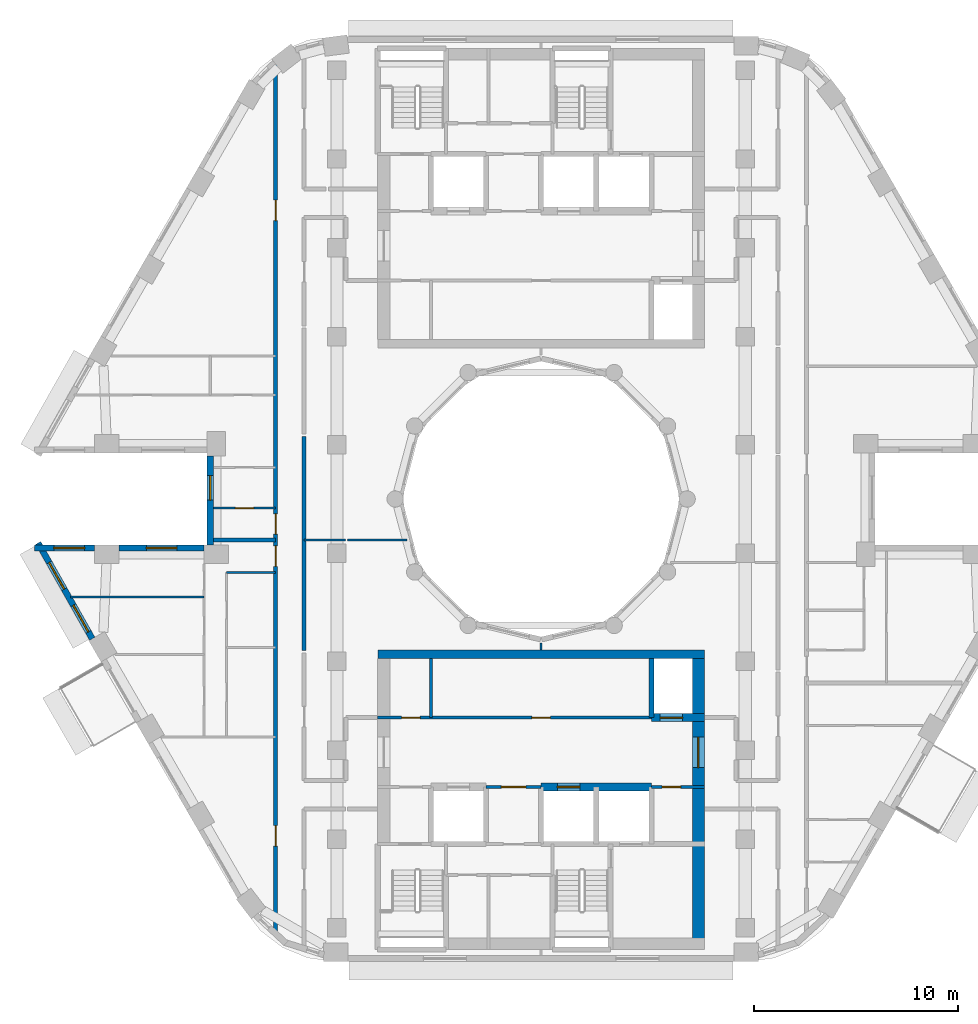
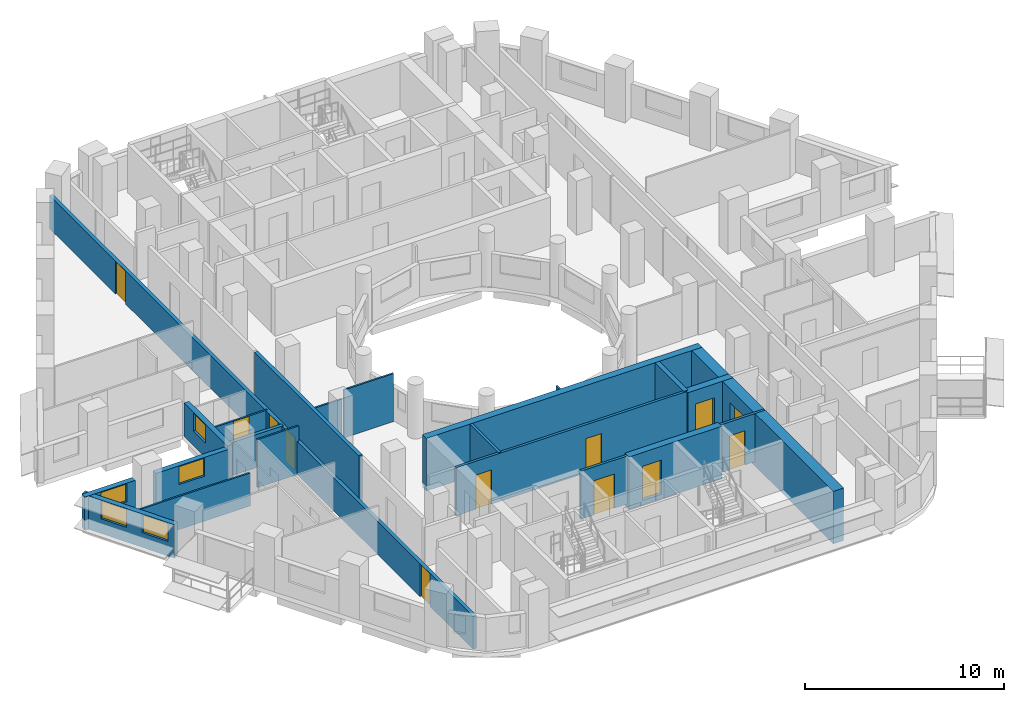
# One storey, part 4 of 15: 22 walls, 12 doors, 5 windows, 17 openings.
"""IFC4 building model written with IfcOpenShell, lengths in metres."""

from ifc_helpers import new_model, si_unit, direction, frame, frame_2d, origin, place, context, subcontext, project, spatial, rectangle, extrude, material, layer, layer_set, type_object, element, fill, save


model = new_model("IFC4")

# Units and contexts
model_context = context("Model", 3, precision=1e-05, world=origin(), true_north=direction((0.0, 1.0)))
body_context = subcontext(model_context, "Body", "Model", "MODEL_VIEW")
ifc_project = project(units=[si_unit("LENGTHUNIT", "METRE"), si_unit("AREAUNIT", "SQUARE_METRE"), si_unit("VOLUMEUNIT", "CUBIC_METRE"), si_unit("PLANEANGLEUNIT", "RADIAN"), si_unit("MASSUNIT", "GRAM", prefix="KILO")], contexts=[model_context])

# Site, building, storey
site_placement = place(None, origin())
site = spatial("IfcSite", under=ifc_project, at=site_placement, CompositionType="ELEMENT")
building_placement = place(site_placement, origin())
building = spatial("IfcBuilding", under=site, at=building_placement, Name="Nakaniwa Court", CompositionType="ELEMENT")
storey_placement = place(building_placement, frame((0.0, 0.0, 216.300048828125)))
storey = spatial("IfcBuildingStorey", under=building, at=storey_placement, Name="L57", CompositionType="ELEMENT", Elevation=216.300048828125)

# Wall
ifc_material_1 = material(Name="Acoustic double stud partition")
ifc_layer_1 = layer(ifc_material_1, 0.199951171875)
ifc_layer_set_1 = layer_set([ifc_layer_1], Name="Acoustic double stud partition")
wall_type_1 = type_object("IfcWallType", Name="Acoustic double stud partition 200", PredefinedType="PARTITIONING", material=ifc_layer_set_1)
wall_1_placement = place(storey_placement, frame((68.39990234375, 72.5771484375, 0.0), z_axis=(0.0, 0.0, 1.0), x_axis=(0.0, 1.0, 0.0)))
element("IfcWall", 1, at=wall_1_placement, inside=storey, type_object=wall_type_1, Name="Partition PW-094", PredefinedType="PARTITIONING", context=body_context, shape_type="SweptSolid", body=[
    extrude(rectangle(XDim=10.485595703125, YDim=0.199951171875, at=frame_2d((5.24267578125, 0.0))), origin(), (0.0, 0.0, 1.0), 2.949951171875),
])

# Wall, openings, doors
wall_2_placement = place(storey_placement, frame((67.0, 58.67431640625, 0.0), z_axis=(0.0, 0.0, 1.0), x_axis=(0.0, 1.0, 0.0)))
wall_2 = element("IfcWall", 2, at=wall_2_placement, inside=storey, type_object=wall_type_1, Name="Partition PW-102", PredefinedType="PARTITIONING", context=body_context, shape_type="SweptSolid", body=[
    extrude(rectangle(XDim=42.591796875, YDim=0.199951171875, at=frame_2d((21.2958984375, 0.0))), origin(), (0.0, 0.0, 1.0), 2.030029296875),
])
opening_1_placement = place(wall_2_placement, frame((18.02587890625, 0.0, 0.0)))
opening_1 = element("IfcOpeningElement", 3, at=opening_1_placement, cuts=wall_2, Name="Opening D-34-03", PredefinedType="OPENING", context=body_context, shape_type="SweptSolid", body=[
    extrude(rectangle(XDim=1.0, YDim=2.010009765625, at=frame_2d((0.5, 1.0048828125))), frame((0.0, 0.10986328125, 0.0), z_axis=(0.0, -1.0, 0.0), x_axis=(1.0, 0.0, 0.0)), (0.0, 0.0, 1.0), 0.219970703125),
])
opening_2_placement = place(wall_2_placement, frame((19.60107421875, 0.0, 0.0)))
opening_2 = element("IfcOpeningElement", 4, at=opening_2_placement, cuts=wall_2, Name="Opening D-34-04", PredefinedType="OPENING", context=body_context, shape_type="SweptSolid", body=[
    extrude(rectangle(XDim=1.0, YDim=2.010009765625, at=frame_2d((0.5, 1.0048828125))), frame((0.0, 0.10986328125, 0.0), z_axis=(0.0, -1.0, 0.0), x_axis=(1.0, 0.0, 0.0)), (0.0, 0.0, 1.0), 0.219970703125),
])
opening_3_placement = place(wall_2_placement, frame((4.33203125, 0.0, 0.0)))
opening_3 = element("IfcOpeningElement", 5, at=opening_3_placement, cuts=wall_2, Name="Opening D-36-06", PredefinedType="OPENING", context=body_context, shape_type="SweptSolid", body=[
    extrude(rectangle(XDim=1.0, YDim=2.010009765625, at=frame_2d((0.5, 1.0048828125))), frame((0.0, 0.10986328125, 0.0), z_axis=(0.0, -1.0, 0.0), x_axis=(1.0, 0.0, 0.0)), (0.0, 0.0, 1.0), 0.219970703125),
])
opening_4_placement = place(wall_2_placement, frame((34.95703125, 0.0, 0.0)))
opening_4 = element("IfcOpeningElement", 6, at=opening_4_placement, cuts=wall_2, Name="Opening D-36-07", PredefinedType="OPENING", context=body_context, shape_type="SweptSolid", body=[
    extrude(rectangle(XDim=1.0, YDim=2.010009765625, at=frame_2d((0.5, 1.0048828125))), frame((0.0, 0.10986328125, 0.0), z_axis=(0.0, -1.0, 0.0), x_axis=(1.0, 0.0, 0.0)), (0.0, 0.0, 1.0), 0.219970703125),
])
ifc_material_2 = material(Name="Solid core timber door set, black veneer", Category="wood")
door_type_1 = type_object("IfcDoorType", Name="Flat entrance door 1000 x 2010", OperationType="NOTDEFINED", PredefinedType="DOOR", material=ifc_material_2)
door_1_placement = place(opening_1_placement, origin())
door_1 = element("IfcDoor", 7, at=door_1_placement, inside=storey, type_object=door_type_1, Name="Door D-34-03 L57-035", OperationType="SINGLE_SWING_RIGHT", OverallHeight=2.010009765625, OverallWidth=1.0, PredefinedType="DOOR", context=body_context, shape_type="SweptSolid", body=[
    extrude(rectangle(XDim=1.0, YDim=2.010009765625, at=frame_2d((0.5, 1.0048828125))), frame((0.0, 0.02490234375, 0.0), z_axis=(0.0, -1.0, 0.0), x_axis=(1.0, 0.0, 0.0)), (0.0, 0.0, 1.0), 0.050048828125),
])
fill(opening_1, door_1)
door_2_placement = place(opening_2_placement, origin())
door_2 = element("IfcDoor", 8, at=door_2_placement, inside=storey, type_object=door_type_1, Name="Door D-34-04 L57-041", OperationType="SINGLE_SWING_RIGHT", OverallHeight=2.010009765625, OverallWidth=1.0, PredefinedType="DOOR", context=body_context, shape_type="SweptSolid", body=[
    extrude(rectangle(XDim=1.0, YDim=2.010009765625, at=frame_2d((0.5, 1.0048828125))), frame((0.0, 0.02490234375, 0.0), z_axis=(0.0, -1.0, 0.0), x_axis=(1.0, 0.0, 0.0)), (0.0, 0.0, 1.0), 0.050048828125),
])
fill(opening_2, door_2)
door_type_2 = type_object("IfcDoorType", Name="Internal door 1000 x 2010", OperationType="NOTDEFINED", PredefinedType="DOOR", material=ifc_material_2)
door_3_placement = place(opening_3_placement, origin())
door_3 = element("IfcDoor", 9, at=door_3_placement, inside=storey, type_object=door_type_2, Name="Door D-36-06 L57-049", OperationType="SINGLE_SWING_RIGHT", OverallHeight=2.010009765625, OverallWidth=1.0, PredefinedType="DOOR", context=body_context, shape_type="SweptSolid", body=[
    extrude(rectangle(XDim=1.0, YDim=2.010009765625, at=frame_2d((0.5, 1.0048828125))), frame((0.0, 0.02490234375, 0.0), z_axis=(0.0, -1.0, 0.0), x_axis=(1.0, 0.0, 0.0)), (0.0, 0.0, 1.0), 0.050048828125),
])
fill(opening_3, door_3)
door_4_placement = place(opening_4_placement, origin())
door_4 = element("IfcDoor", 10, at=door_4_placement, inside=storey, type_object=door_type_2, Name="Door D-36-07 L57-050", OperationType="SINGLE_SWING_LEFT", OverallHeight=2.010009765625, OverallWidth=1.0, PredefinedType="DOOR", context=body_context, shape_type="SweptSolid", body=[
    extrude(rectangle(XDim=1.0, YDim=2.010009765625, at=frame_2d((0.5, 1.0048828125))), frame((0.0, 0.02490234375, 0.0), z_axis=(0.0, -1.0, 0.0), x_axis=(1.0, 0.0, 0.0)), (0.0, 0.0, 1.0), 0.050048828125),
])
fill(opening_4, door_4)

# Wall
wall_3_placement = place(storey_placement, frame((63.950439453125, 78.0, 0.0), z_axis=(0.0, 0.0, 1.0), x_axis=(1.0, 0.0, 0.0)))
element("IfcWall", 11, at=wall_3_placement, inside=storey, type_object=wall_type_1, Name="Partition PW-126", PredefinedType="PARTITIONING", context=body_context, shape_type="SweptSolid", body=[
    extrude(rectangle(XDim=3.048583984375, YDim=0.199951171875, at=frame_2d((1.5244140625, 0.0))), origin(), (0.0, 0.0, 1.0), 2.030029296875),
])

# Wall, opening, window
ifc_material_3 = material(Name="Charcoal ceramic cladding")
ifc_layer_2 = layer(ifc_material_3, 0.02, Name="Ceramic cladding")
ifc_material_4 = material(Name="Ventilated air cavity")
ifc_layer_3 = layer(ifc_material_4, 0.04, ventilated=True, Name="Ventilated cavity")
ifc_material_5 = material(Name="Mineral wool insulation")
ifc_layer_4 = layer(ifc_material_5, 0.1, Name="Insulation")
ifc_material_6 = material(Name="Cement bonded sheathing board")
ifc_layer_5 = layer(ifc_material_6, 0.012, Name="Sheathing")
ifc_material_7 = material(Name="Cold-formed galvanised stud frame with mineral wool infill")
ifc_layer_6 = layer(ifc_material_7, 0.1, Name="Stud frame")
ifc_material_8 = material(Name="Fire-rated gypsum plasterboard lining")
ifc_layer_7 = layer(ifc_material_8, 0.028, Name="Lining")
ifc_layer_set_2 = layer_set([ifc_layer_2, ifc_layer_3, ifc_layer_4, ifc_layer_5, ifc_layer_6, ifc_layer_7], Name="Charcoal ceramic faced external wall system")
wall_type_2 = type_object("IfcWallType", Name="Black ceramic faced external wall 300", PredefinedType="SOLIDWALL", material=ifc_layer_set_2)
wall_4_placement = place(storey_placement, frame((63.800537109375, 82.10400390625, 0.0), z_axis=(0.0, 0.0, 1.0), x_axis=(0.0, -1.0, 0.0)))
wall_4 = element("IfcWall", 12, at=wall_4_placement, inside=storey, type_object=wall_type_2, Name="L57 external wall 17", PredefinedType="SOLIDWALL", context=body_context, shape_type="SweptSolid", body=[
    extrude(rectangle(XDim=4.35791015625, YDim=0.300048828125, at=frame_2d((2.178955078125, 0.0))), origin(), (0.0, 0.0, 1.0), 2.050048828125),
])
opening_5_placement = place(wall_4_placement, frame((0.9541015625, 0.0, 0.89990234375)))
opening_5 = element("IfcOpeningElement", 13, at=opening_5_placement, cuts=wall_4, Name="Opening W6.20", PredefinedType="OPENING", context=body_context, shape_type="SweptSolid", body=[
    extrude(rectangle(XDim=1.199951171875, YDim=1.10009765625, at=frame_2d((0.60009765625, 0.550048828125))), frame((0.0, 0.159912109375, 0.0), z_axis=(0.0, -1.0, 0.0), x_axis=(1.0, 0.0, 0.0)), (0.0, 0.0, 1.0), 0.320068359375),
])
ifc_material_9 = material(Name="Black anodised aluminium frame with dark low-E laminated double glazing", Category="aluminium")
window_type_1 = type_object("IfcWindowType", Name="Dark glass window 1200x1100 sill 900", PartitioningType="SINGLE_PANEL", PredefinedType="WINDOW", material=ifc_material_9)
window_1_placement = place(opening_5_placement, origin())
window_1 = element("IfcWindow", 14, at=window_1_placement, inside=storey, type_object=window_type_1, Name="L57 habitable room window 17-1", OverallHeight=1.10009765625, OverallWidth=1.199951171875, PartitioningType="SINGLE_PANEL", PredefinedType="WINDOW", context=body_context, shape_type="SweptSolid", body=[
    extrude(rectangle(XDim=1.199951171875, YDim=1.10009765625, at=frame_2d((0.60009765625, 0.550048828125))), frame((0.0, 0.030029296875, 0.0), z_axis=(0.0, -1.0, 0.0), x_axis=(1.0, 0.0, 0.0)), (0.0, 0.0, 1.0), 0.06005859375),
])
fill(opening_5, window_1)

wall_5_placement = place(storey_placement, frame((63.50439453125, 77.60009765625, 0.0), z_axis=(0.0, 0.0, 1.0), x_axis=(-1.0, 0.0, 0.0)))
wall_5 = element("IfcWall", 15, at=wall_5_placement, inside=storey, type_object=wall_type_2, Name="L57 external wall 18", PredefinedType="SOLIDWALL", context=body_context, shape_type="SweptSolid", body=[
    extrude(rectangle(XDim=4.17236328125, YDim=0.300048828125, at=frame_2d((2.086181640625, 0.0))), origin(), (0.0, 0.0, 1.0), 2.050048828125),
])
opening_6_placement = place(wall_5_placement, frame((1.336181640625, 0.0, 0.89990234375)))
opening_6 = element("IfcOpeningElement", 16, at=opening_6_placement, cuts=wall_5, Name="Opening W5.21", PredefinedType="OPENING", context=body_context, shape_type="SweptSolid", body=[
    extrude(rectangle(XDim=1.5, YDim=1.10009765625, at=frame_2d((0.75, 0.550048828125))), frame((0.0, 0.159912109375, 0.0), z_axis=(0.0, -1.0, 0.0), x_axis=(1.0, 0.0, 0.0)), (0.0, 0.0, 1.0), 0.320068359375),
])
window_type_2 = type_object("IfcWindowType", Name="Dark glass window 1500x1100 sill 900", PartitioningType="SINGLE_PANEL", PredefinedType="WINDOW", material=ifc_material_9)
window_2_placement = place(opening_6_placement, origin())
window_2 = element("IfcWindow", 17, at=window_2_placement, inside=storey, type_object=window_type_2, Name="L57 bedroom window 18-0", OverallHeight=1.10009765625, OverallWidth=1.5, PartitioningType="SINGLE_PANEL", PredefinedType="WINDOW", context=body_context, shape_type="SweptSolid", body=[
    extrude(rectangle(XDim=1.5, YDim=1.10009765625, at=frame_2d((0.75, 0.550048828125))), frame((0.0, 0.030029296875, 0.0), z_axis=(0.0, -1.0, 0.0), x_axis=(1.0, 0.0, 0.0)), (0.0, 0.0, 1.0), 0.06005859375),
])
fill(opening_6, window_2)

wall_6_placement = place(storey_placement, frame((58.139892578125, 77.60009765625, 0.0), z_axis=(0.0, 0.0, 1.0), x_axis=(-1.0, 0.0, 0.0)))
wall_6 = element("IfcWall", 18, at=wall_6_placement, inside=storey, type_object=wall_type_2, Name="L57 external wall 19", PredefinedType="SOLIDWALL", context=body_context, shape_type="SweptSolid", body=[
    extrude(rectangle(XDim=2.937744140625, YDim=0.300048828125, at=frame_2d((1.46875, 0.0))), origin(), (0.0, 0.0, 1.0), 2.050048828125),
])
opening_7_placement = place(wall_6_placement, frame((0.493896484375, 0.0, 0.89990234375)))
opening_7 = element("IfcOpeningElement", 19, at=opening_7_placement, cuts=wall_6, Name="Opening W5.22", PredefinedType="OPENING", context=body_context, shape_type="SweptSolid", body=[
    extrude(rectangle(XDim=1.5, YDim=1.10009765625, at=frame_2d((0.75, 0.550048828125))), frame((0.0, 0.159912109375, 0.0), z_axis=(0.0, -1.0, 0.0), x_axis=(1.0, 0.0, 0.0)), (0.0, 0.0, 1.0), 0.320068359375),
])
window_3_placement = place(opening_7_placement, origin())
window_3 = element("IfcWindow", 20, at=window_3_placement, inside=storey, type_object=window_type_2, Name="L57 bedroom window 19-0", OverallHeight=1.10009765625, OverallWidth=1.5, PartitioningType="SINGLE_PANEL", PredefinedType="WINDOW", context=body_context, shape_type="SweptSolid", body=[
    extrude(rectangle(XDim=1.5, YDim=1.10009765625, at=frame_2d((0.75, 0.550048828125))), frame((0.0, 0.030029296875, 0.0), z_axis=(0.0, -1.0, 0.0), x_axis=(1.0, 0.0, 0.0)), (0.0, 0.0, 1.0), 0.06005859375),
])
fill(opening_7, window_3)

# Wall, openings, windows
wall_7_placement = place(storey_placement, frame((55.372802734375, 77.846435546875, 0.0), z_axis=(0.0, 0.0, 1.0), x_axis=(0.492033360928, -0.870576344575, 0.0)))
wall_7 = element("IfcWall", 21, at=wall_7_placement, inside=storey, type_object=wall_type_2, Name="L57 external wall 20", PredefinedType="SOLIDWALL", context=body_context, shape_type="SweptSolid", body=[
    extrude(rectangle(XDim=5.38671875, YDim=0.300048828125, at=frame_2d((2.693359375, 0.0))), origin(), (0.0, 0.0, 1.0), 2.050048828125),
])
opening_8_placement = place(wall_7_placement, frame((1.0966796875, 0.0, 0.89990234375)))
opening_8 = element("IfcOpeningElement", 22, at=opening_8_placement, cuts=wall_7, Name="Opening W5.23", PredefinedType="OPENING", context=body_context, shape_type="SweptSolid", body=[
    extrude(rectangle(XDim=1.5, YDim=1.10009765625, at=frame_2d((0.75, 0.550048828125))), frame((0.0, 0.159912109375, 0.0), z_axis=(0.0, -1.0, 0.0), x_axis=(1.0, 0.0, 0.0)), (0.0, 0.0, 1.0), 0.320068359375),
])
opening_9_placement = place(wall_7_placement, frame((3.50146484375, 0.0, 0.89990234375)))
opening_9 = element("IfcOpeningElement", 23, at=opening_9_placement, cuts=wall_7, Name="Opening W5.24", PredefinedType="OPENING", context=body_context, shape_type="SweptSolid", body=[
    extrude(rectangle(XDim=1.5, YDim=1.10009765625, at=frame_2d((0.75, 0.550048828125))), frame((0.0, 0.159912109375, 0.0), z_axis=(0.0, -1.0, 0.0), x_axis=(1.0, 0.0, 0.0)), (0.0, 0.0, 1.0), 0.320068359375),
])
window_4_placement = place(opening_8_placement, origin())
window_4 = element("IfcWindow", 24, at=window_4_placement, inside=storey, type_object=window_type_2, Name="L57 bedroom window 20-0", OverallHeight=1.10009765625, OverallWidth=1.5, PartitioningType="SINGLE_PANEL", PredefinedType="WINDOW", context=body_context, shape_type="SweptSolid", body=[
    extrude(rectangle(XDim=1.5, YDim=1.10009765625, at=frame_2d((0.75, 0.550048828125))), frame((0.0, 0.030029296875, 0.0), z_axis=(0.0, -1.0, 0.0), x_axis=(1.0, 0.0, 0.0)), (0.0, 0.0, 1.0), 0.06005859375),
])
fill(opening_8, window_4)
window_5_placement = place(opening_9_placement, origin())
window_5 = element("IfcWindow", 25, at=window_5_placement, inside=storey, type_object=window_type_2, Name="L57 bedroom window 20-1", OverallHeight=1.10009765625, OverallWidth=1.5, PartitioningType="SINGLE_PANEL", PredefinedType="WINDOW", context=body_context, shape_type="SweptSolid", body=[
    extrude(rectangle(XDim=1.5, YDim=1.10009765625, at=frame_2d((0.75, 0.550048828125))), frame((0.0, 0.030029296875, 0.0), z_axis=(0.0, -1.0, 0.0), x_axis=(1.0, 0.0, 0.0)), (0.0, 0.0, 1.0), 0.06005859375),
])
fill(opening_9, window_5)

# Wall
ifc_material_10 = material(Name="Blockwork partition", Category="masonry")
ifc_layer_8 = layer(ifc_material_10, 0.14990234375)
ifc_layer_set_3 = layer_set([ifc_layer_8], Name="Blockwork partition")
wall_type_3 = type_object("IfcWallType", Name="Blockwork partition 150", PredefinedType="PARTITIONING", material=ifc_layer_set_3)
wall_8_placement = place(storey_placement, frame((74.60009765625, 69.300048828125, 0.0), z_axis=(0.0, 0.0, 1.0), x_axis=(0.0, 1.0, 0.0)))
element("IfcWall", 26, at=wall_8_placement, inside=storey, type_object=wall_type_3, Name="Partition PW-033", PredefinedType="PARTITIONING", context=body_context, shape_type="SweptSolid", body=[
    extrude(rectangle(XDim=2.89990234375, YDim=0.14990234375, at=frame_2d((1.449951171875, 0.0))), origin(), (0.0, 0.0, 1.0), 2.949951171875),
])

# Wall, openings, doors
wall_9_placement = place(storey_placement, frame((72.0, 69.300048828125, 0.0), z_axis=(0.0, 0.0, 1.0), x_axis=(1.0, 0.0, 0.0)))
wall_9 = element("IfcWall", 27, at=wall_9_placement, inside=storey, type_object=wall_type_3, Name="Partition PW-034", PredefinedType="PARTITIONING", context=body_context, shape_type="SweptSolid", body=[
    extrude(rectangle(XDim=13.39990234375, YDim=0.14990234375, at=frame_2d((6.699951171875, 0.0))), origin(), (0.0, 0.0, 1.0), 2.949951171875),
])
opening_10_placement = place(wall_9_placement, frame((1.175048828125, 0.0, 0.0)))
opening_10 = element("IfcOpeningElement", 28, at=opening_10_placement, cuts=wall_9, Name="Opening D-05-06", PredefinedType="OPENING", context=body_context, shape_type="SweptSolid", body=[
    extrude(rectangle(XDim=0.89990234375, YDim=2.10009765625, at=frame_2d((0.449951171875, 1.050048828125))), frame((0.0, 0.0849609375, 0.0), z_axis=(0.0, -1.0, 0.0), x_axis=(1.0, 0.0, 0.0)), (0.0, 0.0, 1.0), 0.169921875),
])
opening_11_placement = place(wall_9_placement, frame((7.550048828125, 0.0, 0.0)))
opening_11 = element("IfcOpeningElement", 29, at=opening_11_placement, cuts=wall_9, Name="Opening D-05-07", PredefinedType="OPENING", context=body_context, shape_type="SweptSolid", body=[
    extrude(rectangle(XDim=0.89990234375, YDim=2.10009765625, at=frame_2d((0.449951171875, 1.050048828125))), frame((0.0, 0.0849609375, 0.0), z_axis=(0.0, -1.0, 0.0), x_axis=(1.0, 0.0, 0.0)), (0.0, 0.0, 1.0), 0.169921875),
])
ifc_material_11 = material(Name="Fire rated steel door set", Category="steel")
door_type_3 = type_object("IfcDoorType", Name="Service room door 900", OperationType="NOTDEFINED", PredefinedType="DOOR", material=ifc_material_11)
door_5_placement = place(opening_10_placement, origin())
door_5 = element("IfcDoor", 30, at=door_5_placement, inside=storey, type_object=door_type_3, Name="Door D-05-06 L57-011", OperationType="SINGLE_SWING_RIGHT", OverallHeight=2.10009765625, OverallWidth=0.89990234375, PredefinedType="DOOR", context=body_context, shape_type="SweptSolid", body=[
    extrude(rectangle(XDim=0.89990234375, YDim=2.10009765625, at=frame_2d((0.449951171875, 1.050048828125))), frame((0.0, 0.02490234375, 0.0), z_axis=(0.0, -1.0, 0.0), x_axis=(1.0, 0.0, 0.0)), (0.0, 0.0, 1.0), 0.050048828125),
])
fill(opening_10, door_5)
door_6_placement = place(opening_11_placement, origin())
door_6 = element("IfcDoor", 31, at=door_6_placement, inside=storey, type_object=door_type_3, Name="Door D-05-07 L57-012", OperationType="SINGLE_SWING_LEFT", OverallHeight=2.10009765625, OverallWidth=0.89990234375, PredefinedType="DOOR", context=body_context, shape_type="SweptSolid", body=[
    extrude(rectangle(XDim=0.89990234375, YDim=2.10009765625, at=frame_2d((0.449951171875, 1.050048828125))), frame((0.0, 0.02490234375, 0.0), z_axis=(0.0, -1.0, 0.0), x_axis=(1.0, 0.0, 0.0)), (0.0, 0.0, 1.0), 0.050048828125),
])
fill(opening_11, door_6)

# Wall, opening, door
wall_10_placement = place(storey_placement, frame((80.0029296875, 65.89990234375, 0.0), z_axis=(0.0, 0.0, 1.0), x_axis=(-1.0, 0.0, 0.0)))
wall_10 = element("IfcWall", 32, at=wall_10_placement, inside=storey, type_object=wall_type_3, Name="Partition PW-041", PredefinedType="PARTITIONING", context=body_context, shape_type="SweptSolid", body=[
    extrude(rectangle(XDim=2.705810546875, YDim=0.14990234375, at=frame_2d((1.35302734375, 0.0))), origin(), (0.0, 0.0, 1.0), 2.949951171875),
])
opening_12_placement = place(wall_10_placement, frame((0.7529296875, 0.0, 0.0)))
opening_12 = element("IfcOpeningElement", 33, at=opening_12_placement, cuts=wall_10, Name="Opening D-06-02", PredefinedType="OPENING", context=body_context, shape_type="SweptSolid", body=[
    extrude(rectangle(XDim=1.199951171875, YDim=2.10009765625, at=frame_2d((0.60009765625, 1.050048828125))), frame((0.0, 0.0849609375, 0.0), z_axis=(0.0, -1.0, 0.0), x_axis=(1.0, 0.0, 0.0)), (0.0, 0.0, 1.0), 0.169921875),
])
ifc_material_12 = material(Name="Fire rated steel double door set", Category="steel")
door_type_4 = type_object("IfcDoorType", Name="Service passage double door 1200", OperationType="NOTDEFINED", PredefinedType="DOOR", material=ifc_material_12)
door_7_placement = place(opening_12_placement, origin())
door_7 = element("IfcDoor", 34, at=door_7_placement, inside=storey, type_object=door_type_4, Name="Door D-06-02 L57-014", OperationType="DOUBLE_DOOR_SINGLE_SWING", OverallHeight=2.10009765625, OverallWidth=1.199951171875, PredefinedType="DOOR", context=body_context, shape_type="SweptSolid", body=[
    extrude(rectangle(XDim=1.199951171875, YDim=2.10009765625, at=frame_2d((0.60009765625, 1.050048828125))), frame((0.0, 0.02490234375, 0.0), z_axis=(0.0, -1.0, 0.0), x_axis=(1.0, 0.0, 0.0)), (0.0, 0.0, 1.0), 0.050048828125),
])
fill(opening_12, door_7)

wall_11_placement = place(storey_placement, frame((88.0, 65.89990234375, 0.0), z_axis=(0.0, 0.0, 1.0), x_axis=(-1.0, 0.0, 0.0)))
wall_11 = element("IfcWall", 35, at=wall_11_placement, inside=storey, type_object=wall_type_3, Name="Partition PW-042", PredefinedType="PARTITIONING", context=body_context, shape_type="SweptSolid", body=[
    extrude(rectangle(XDim=2.60302734375, YDim=0.14990234375, at=frame_2d((1.301513671875, 0.0))), origin(), (0.0, 0.0, 1.0), 2.949951171875),
])
opening_13_placement = place(wall_11_placement, frame((1.175048828125, 0.0, 0.0)))
opening_13 = element("IfcOpeningElement", 36, at=opening_13_placement, cuts=wall_11, Name="Opening D-05-08", PredefinedType="OPENING", context=body_context, shape_type="SweptSolid", body=[
    extrude(rectangle(XDim=0.89990234375, YDim=2.10009765625, at=frame_2d((0.449951171875, 1.050048828125))), frame((0.0, 0.0849609375, 0.0), z_axis=(0.0, -1.0, 0.0), x_axis=(1.0, 0.0, 0.0)), (0.0, 0.0, 1.0), 0.169921875),
])
door_8_placement = place(opening_13_placement, origin())
door_8 = element("IfcDoor", 37, at=door_8_placement, inside=storey, type_object=door_type_3, Name="Door D-05-08 L57-015", OperationType="SINGLE_SWING_RIGHT", OverallHeight=2.10009765625, OverallWidth=0.89990234375, PredefinedType="DOOR", context=body_context, shape_type="SweptSolid", body=[
    extrude(rectangle(XDim=0.89990234375, YDim=2.10009765625, at=frame_2d((0.449951171875, 1.050048828125))), frame((0.0, 0.02490234375, 0.0), z_axis=(0.0, -1.0, 0.0), x_axis=(1.0, 0.0, 0.0)), (0.0, 0.0, 1.0), 0.050048828125),
])
fill(opening_13, door_8)

ifc_material_13 = material(Name="Concrete C80/100", Category="concrete")
ifc_layer_9 = layer(ifc_material_13, 0.60009765625)
ifc_layer_set_4 = layer_set([ifc_layer_9], Name="Concrete C80/100")
wall_type_4 = type_object("IfcWallType", Name="Concrete core side wall 600 C80", PredefinedType="SHEAR", material=ifc_layer_set_4)
wall_12_placement = place(storey_placement, frame((87.699951171875, 72.199951171875, -0.275146484375), z_axis=(0.0, 0.0, 1.0), x_axis=(0.0, -1.0, 0.0)))
wall_12 = element("IfcWall", 38, at=wall_12_placement, inside=storey, type_object=wall_type_4, Name="Core wall SW-39", PredefinedType="SHEAR", context=body_context, shape_type="SweptSolid", body=[
    extrude(rectangle(XDim=14.25, YDim=0.60009765625, at=frame_2d((7.125, 0.0))), origin(), (0.0, 0.0, 1.0), 3.22509765625),
])
opening_14_placement = place(wall_12_placement, frame((3.85205078125, 0.0, 0.27490234375)))
opening_14 = element("IfcOpeningElement", 39, at=opening_14_placement, cuts=wall_12, Name="Opening D-07-03", PredefinedType="OPENING", context=body_context, shape_type="SweptSolid", body=[
    extrude(rectangle(XDim=1.5, YDim=2.10009765625, at=frame_2d((0.75, 1.050048828125))), frame((0.0, 0.31005859375, 0.0), z_axis=(0.0, -1.0, 0.0), x_axis=(1.0, 0.0, 0.0)), (0.0, 0.0, 1.0), 0.6201171875),
])
ifc_material_14 = material(Name="Glazed fire rated steel double door set", Category="steel")
door_type_5 = type_object("IfcDoorType", Name="Lobby double door 1500", OperationType="NOTDEFINED", PredefinedType="DOOR", material=ifc_material_14)
door_9_placement = place(opening_14_placement, origin())
door_9 = element("IfcDoor", 40, at=door_9_placement, inside=storey, type_object=door_type_5, Name="Door D-07-03 L57-054", OperationType="DOUBLE_DOOR_SINGLE_SWING", OverallHeight=2.10009765625, OverallWidth=1.5, PredefinedType="DOOR", context=body_context, shape_type="SweptSolid", body=[
    extrude(rectangle(XDim=1.5, YDim=2.10009765625, at=frame_2d((0.75, 1.050048828125))), frame((0.0, 0.02490234375, 0.0), z_axis=(0.0, -1.0, 0.0), x_axis=(1.0, 0.0, 0.0)), (0.0, 0.0, 1.0), 0.050048828125),
])
fill(opening_14, door_9)

ifc_layer_10 = layer(ifc_material_13, 0.39990234375)
ifc_layer_set_5 = layer_set([ifc_layer_10], Name="Concrete C80/100")
wall_type_5 = type_object("IfcWallType", Name="Concrete core spine wall 400 C80", PredefinedType="SHEAR", material=ifc_layer_set_5)
wall_13_placement = place(storey_placement, frame((85.39990234375, 69.300048828125, -0.275146484375), z_axis=(0.0, 0.0, 1.0), x_axis=(1.0, 0.0, 0.0)))
wall_13 = element("IfcWall", 41, at=wall_13_placement, inside=storey, type_object=wall_type_5, Name="Core wall SW-38", PredefinedType="SHEAR", context=body_context, shape_type="SweptSolid", body=[
    extrude(rectangle(XDim=2.60009765625, YDim=0.39990234375, at=frame_2d((1.300048828125, 0.0))), origin(), (0.0, 0.0, 1.0), 3.22509765625),
])
opening_15_placement = place(wall_13_placement, frame((0.425048828125, 0.0, 0.27490234375)))
opening_15 = element("IfcOpeningElement", 42, at=opening_15_placement, cuts=wall_13, Name="Opening LD05", PredefinedType="OPENING", context=body_context, shape_type="SweptSolid", body=[
    extrude(rectangle(XDim=1.10009765625, YDim=2.10009765625, at=frame_2d((0.550048828125, 1.050048828125))), frame((0.0, 0.2099609375, 0.0), z_axis=(0.0, -1.0, 0.0), x_axis=(1.0, 0.0, 0.0)), (0.0, 0.0, 1.0), 0.419921875),
])
ifc_material_15 = material(Name="Stainless steel sliding lift landing door", Category="steel")
door_type_6 = type_object("IfcDoorType", Name="Lift landing door 1100", OperationType="NOTDEFINED", PredefinedType="DOOR", material=ifc_material_15)
door_10_placement = place(opening_15_placement, origin())
door_10 = element("IfcDoor", 43, at=door_10_placement, inside=storey, type_object=door_type_6, Name="Lift landing door LD05 L57-005", OperationType="SLIDING_TO_LEFT", OverallHeight=2.10009765625, OverallWidth=1.10009765625, PredefinedType="DOOR", context=body_context, shape_type="SweptSolid", body=[
    extrude(rectangle(XDim=1.10009765625, YDim=2.10009765625, at=frame_2d((0.550048828125, 1.050048828125))), frame((0.0, 0.02490234375, 0.0), z_axis=(0.0, -1.0, 0.0), x_axis=(1.0, 0.0, 0.0)), (0.0, 0.0, 1.0), 0.050048828125),
])
fill(opening_15, door_10)

wall_14_placement = place(storey_placement, frame((79.9970703125, 65.89990234375, -0.275146484375), z_axis=(0.0, 0.0, 1.0), x_axis=(1.0, 0.0, 0.0)))
wall_14 = element("IfcWall", 44, at=wall_14_placement, inside=storey, type_object=wall_type_5, Name="Core wall SW-44", PredefinedType="SHEAR", context=body_context, shape_type="SweptSolid", body=[
    extrude(rectangle(XDim=5.406005859375, YDim=0.39990234375, at=frame_2d((2.703125, 0.0))), origin(), (0.0, 0.0, 1.0), 3.22509765625),
])
opening_16_placement = place(wall_14_placement, frame((0.802978515625, 0.0, 0.27490234375)))
opening_16 = element("IfcOpeningElement", 45, at=opening_16_placement, cuts=wall_14, Name="Opening LD07", PredefinedType="OPENING", context=body_context, shape_type="SweptSolid", body=[
    extrude(rectangle(XDim=1.10009765625, YDim=2.10009765625, at=frame_2d((0.550048828125, 1.050048828125))), frame((0.0, 0.2099609375, 0.0), z_axis=(0.0, -1.0, 0.0), x_axis=(1.0, 0.0, 0.0)), (0.0, 0.0, 1.0), 0.419921875),
])
door_11_placement = place(opening_16_placement, origin())
door_11 = element("IfcDoor", 46, at=door_11_placement, inside=storey, type_object=door_type_6, Name="Lift landing door LD07 L57-007", OperationType="SLIDING_TO_LEFT", OverallHeight=2.10009765625, OverallWidth=1.10009765625, PredefinedType="DOOR", context=body_context, shape_type="SweptSolid", body=[
    extrude(rectangle(XDim=1.10009765625, YDim=2.10009765625, at=frame_2d((0.550048828125, 1.050048828125))), frame((0.0, 0.02490234375, 0.0), z_axis=(0.0, -1.0, 0.0), x_axis=(1.0, 0.0, 0.0)), (0.0, 0.0, 1.0), 0.050048828125),
])
fill(opening_16, door_11)

# Walls
ifc_layer_11 = layer(ifc_material_13, 0.39990234375)
ifc_layer_set_6 = layer_set([ifc_layer_11], Name="Concrete C80/100")
wall_type_6 = type_object("IfcWallType", Name="Concrete core well wall 400 C80", PredefinedType="SHEAR", material=ifc_layer_set_6)
wall_15_placement = place(storey_placement, frame((72.00390625, 72.39990234375, -0.275146484375), z_axis=(0.0, 0.0, 1.0), x_axis=(1.0, 0.0, 0.0)))
element("IfcWall", 47, at=wall_15_placement, inside=storey, type_object=wall_type_6, Name="Core wall SW-135", PredefinedType="SHEAR", context=body_context, shape_type="SweptSolid", body=[
    extrude(rectangle(XDim=15.9921875, YDim=0.39990234375, at=frame_2d((7.99609375, 0.0))), origin(), (0.0, 0.0, 1.0), 3.22509765625),
])
ifc_layer_12 = layer(ifc_material_13, 0.25)
ifc_layer_set_7 = layer_set([ifc_layer_12], Name="Concrete C80/100")
wall_type_7 = type_object("IfcWallType", Name="Concrete shaft wall 250 C80", PredefinedType="SHEAR", material=ifc_layer_set_7)
wall_16_placement = place(storey_placement, frame((85.39990234375, 69.300048828125, -0.275146484375), z_axis=(0.0, 0.0, 1.0), x_axis=(0.0, 1.0, 0.0)))
element("IfcWall", 48, at=wall_16_placement, inside=storey, type_object=wall_type_7, Name="Core wall SW-37", PredefinedType="SHEAR", context=body_context, shape_type="SweptSolid", body=[
    extrude(rectangle(XDim=2.89990234375, YDim=0.25, at=frame_2d((1.449951171875, 0.0))), origin(), (0.0, 0.0, 1.0), 3.22509765625),
])
ifc_material_16 = material(Name="Single stud plasterboard partition")
ifc_layer_13 = layer(ifc_material_16, 0.10009765625)
ifc_layer_set_8 = layer_set([ifc_layer_13], Name="Single stud plasterboard partition")
wall_type_8 = type_object("IfcWallType", Name="Single stud plasterboard partition 100", PredefinedType="PARTITIONING", material=ifc_layer_set_8)
wall_17_placement = place(storey_placement, frame((80.0, 72.60009765625, 0.0), z_axis=(0.0, 0.0, 1.0), x_axis=(0.0, 1.0, 0.0)))
element("IfcWall", 49, at=wall_17_placement, inside=storey, type_object=wall_type_8, Name="Partition PW-104", PredefinedType="PARTITIONING", context=body_context, shape_type="SweptSolid", body=[
    extrude(rectangle(XDim=0.351806640625, YDim=0.10009765625, at=frame_2d((0.17578125, 0.0))), origin(), (0.0, 0.0, 1.0), 2.949951171875),
])
wall_18_placement = place(storey_placement, frame((68.40087890625, 78.0, 0.0), z_axis=(0.0, 0.0, 1.0), x_axis=(1.0, 0.0, 0.0)))
element("IfcWall", 50, at=wall_18_placement, inside=storey, type_object=wall_type_8, Name="Partition PW-119", PredefinedType="PARTITIONING", context=body_context, shape_type="SweptSolid", body=[
    extrude(rectangle(XDim=2.009033203125, YDim=0.10009765625, at=frame_2d((1.00439453125, 0.0))), origin(), (0.0, 0.0, 1.0), 2.429931640625),
])
wall_19_placement = place(storey_placement, frame((70.530029296875, 78.0, 0.0), z_axis=(0.0, 0.0, 1.0), x_axis=(1.0, 0.0, 0.0)))
element("IfcWall", 51, at=wall_19_placement, inside=storey, type_object=wall_type_8, Name="Partition PW-120", PredefinedType="PARTITIONING", context=body_context, shape_type="SweptSolid", body=[
    extrude(rectangle(XDim=2.891845703125, YDim=0.10009765625, at=frame_2d((1.44580078125, 0.0))), origin(), (0.0, 0.0, 1.0), 2.949951171875),
])
wall_20_placement = place(storey_placement, frame((64.59912109375, 76.39990234375, 0.0), z_axis=(0.0, 0.0, 1.0), x_axis=(1.0, 0.0, 0.0)))
element("IfcWall", 52, at=wall_20_placement, inside=storey, type_object=wall_type_8, Name="Partition PW-124", PredefinedType="PARTITIONING", context=body_context, shape_type="SweptSolid", body=[
    extrude(rectangle(XDim=2.39990234375, YDim=0.10009765625, at=frame_2d((1.199951171875, 0.0))), origin(), (0.0, 0.0, 1.0), 2.949951171875),
])
wall_21_placement = place(storey_placement, frame((56.966796875, 75.195068359375, 0.0), z_axis=(0.0, 0.0, 1.0), x_axis=(1.0, 0.0, 0.0)))
element("IfcWall", 53, at=wall_21_placement, inside=storey, type_object=wall_type_8, Name="Partition PW-128", PredefinedType="PARTITIONING", context=body_context, shape_type="SweptSolid", body=[
    extrude(rectangle(XDim=6.5322265625, YDim=0.10009765625, at=frame_2d((3.26611328125, 0.0))), origin(), (0.0, 0.0, 1.0), 2.030029296875),
])

# Wall, opening, door
wall_22_placement = place(storey_placement, frame((63.950439453125, 79.550048828125, 0.0), z_axis=(0.0, 0.0, 1.0), x_axis=(1.0, 0.0, 0.0)))
wall_22 = element("IfcWall", 54, at=wall_22_placement, inside=storey, type_object=wall_type_8, Name="Partition PW-129", PredefinedType="PARTITIONING", context=body_context, shape_type="SweptSolid", body=[
    extrude(rectangle(XDim=3.048583984375, YDim=0.10009765625, at=frame_2d((1.5244140625, 0.0))), origin(), (0.0, 0.0, 1.0), 2.030029296875),
])
opening_17_placement = place(wall_22_placement, frame((1.073974609375, 0.0, 0.0)))
opening_17 = element("IfcOpeningElement", 55, at=opening_17_placement, cuts=wall_22, Name="Opening D-37-02", PredefinedType="OPENING", context=body_context, shape_type="SweptSolid", body=[
    extrude(rectangle(XDim=0.89990234375, YDim=2.010009765625, at=frame_2d((0.449951171875, 1.0048828125))), frame((0.0, 0.06005859375, 0.0), z_axis=(0.0, -1.0, 0.0), x_axis=(1.0, 0.0, 0.0)), (0.0, 0.0, 1.0), 0.1201171875),
])
door_type_7 = type_object("IfcDoorType", Name="Internal door 900 x 2010", OperationType="NOTDEFINED", PredefinedType="DOOR", material=ifc_material_2)
door_12_placement = place(opening_17_placement, origin())
door_12 = element("IfcDoor", 56, at=door_12_placement, inside=storey, type_object=door_type_7, Name="Door D-37-02 L57-042", OperationType="SINGLE_SWING_LEFT", OverallHeight=2.010009765625, OverallWidth=0.89990234375, PredefinedType="DOOR", context=body_context, shape_type="SweptSolid", body=[
    extrude(rectangle(XDim=0.89990234375, YDim=2.010009765625, at=frame_2d((0.449951171875, 1.0048828125))), frame((0.0, 0.02490234375, 0.0), z_axis=(0.0, -1.0, 0.0), x_axis=(1.0, 0.0, 0.0)), (0.0, 0.0, 1.0), 0.050048828125),
])
fill(opening_17, door_12)

save(model, "model.ifc")
